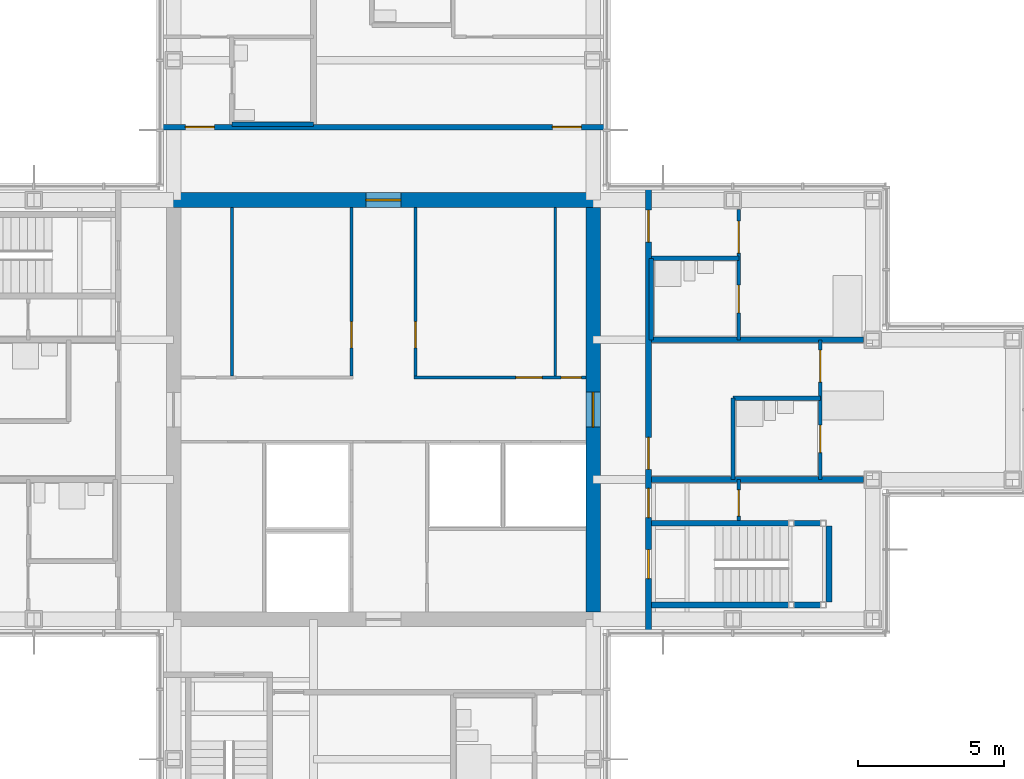
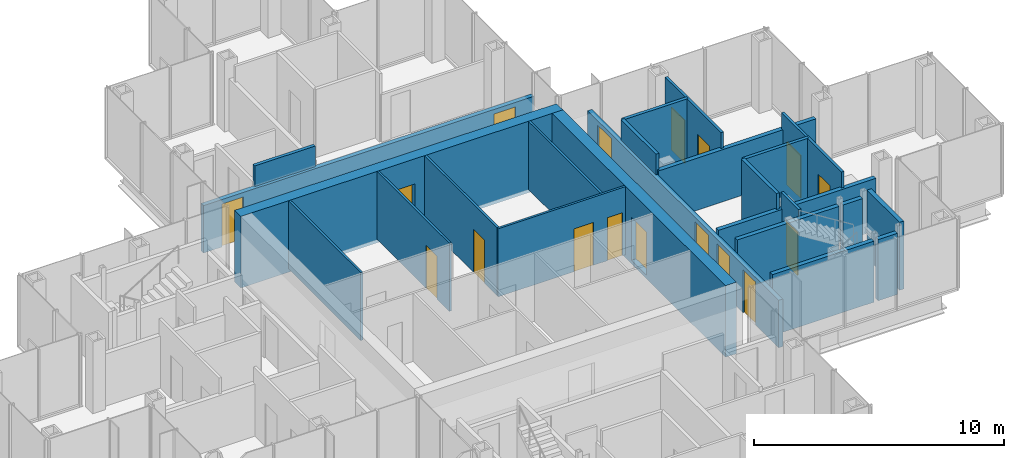
# One storey, part 13 of 17: 24 walls, 17 doors, 17 openings.
"""IFC4 building model written with IfcOpenShell, lengths in metres."""

from ifc_helpers import new_model, si_unit, direction, frame, frame_2d, origin, place, context, subcontext, project, spatial, rectangle, extrude, material, layer, layer_set, type_object, element, fill, save


model = new_model("IFC4")

# Units and contexts
model_context = context("Model", 3, precision=1e-05, world=origin(), true_north=direction((0.0, 1.0)))
body_context = subcontext(model_context, "Body", "Model", "MODEL_VIEW")
ifc_project = project(units=[si_unit("LENGTHUNIT", "METRE"), si_unit("AREAUNIT", "SQUARE_METRE"), si_unit("VOLUMEUNIT", "CUBIC_METRE"), si_unit("PLANEANGLEUNIT", "RADIAN"), si_unit("MASSUNIT", "GRAM", prefix="KILO")], contexts=[model_context])

# Site, building, storey
site_placement = place(None, origin())
site = spatial("IfcSite", under=ifc_project, at=site_placement, CompositionType="ELEMENT")
building_placement = place(site_placement, origin())
building = spatial("IfcBuilding", under=site, at=building_placement, Name="Kvirike Care Tower", CompositionType="ELEMENT")
storey_placement = place(building_placement, frame((0.0, 0.0, 172.5)))
storey = spatial("IfcBuildingStorey", under=building, at=storey_placement, Name="L47", CompositionType="ELEMENT", Elevation=172.5)

# Walls
ifc_material_1 = material(Name="Moisture-resistant board partition", Category="gypsum")
ifc_layer_1 = layer(ifc_material_1, 0.14990234375)
ifc_layer_set_1 = layer_set([ifc_layer_1], Name="BATHROOM WALL 150")
wall_type_1 = type_object("IfcWallType", Name="BATHROOM WALL 150", PredefinedType="PARTITIONING", material=ifc_layer_set_1)
wall_1_placement = place(storey_placement, frame((19.199951171875, 45.800048828125, 0.0), z_axis=(0.0, 0.0, 1.0), x_axis=(-1.0, 0.0, 0.0)))
element("IfcWall", 1, at=wall_1_placement, inside=storey, type_object=wall_type_1, Name="Bathroom Wall 150 L47", PredefinedType="PARTITIONING", context=body_context, shape_type="SweptSolid", body=[
    extrude(rectangle(XDim=2.800048828125, YDim=0.14990234375, at=frame_2d((1.39990234375, 0.0))), origin(), (0.0, 0.0, 1.0), 3.330078125),
])
wall_2_placement = place(storey_placement, frame((36.60009765625, 36.39990234375, 0.0), z_axis=(0.0, 0.0, 1.0), x_axis=(-1.0, 0.0, 0.0)))
element("IfcWall", 2, at=wall_2_placement, inside=storey, type_object=wall_type_1, Name="Bathroom Wall 150 L47", PredefinedType="PARTITIONING", context=body_context, shape_type="SweptSolid", body=[
    extrude(rectangle(XDim=3.0, YDim=0.14990234375, at=frame_2d((1.5, 0.0))), origin(), (0.0, 0.0, 1.0), 3.330078125),
])
wall_3_placement = place(storey_placement, frame((33.60009765625, 33.60009765625, 0.0), z_axis=(0.0, 0.0, 1.0), x_axis=(0.0, 1.0, 0.0)))
element("IfcWall", 3, at=wall_3_placement, inside=storey, type_object=wall_type_1, Name="Bathroom Wall 150 L47", PredefinedType="PARTITIONING", context=body_context, shape_type="SweptSolid", body=[
    extrude(rectangle(XDim=2.7998046875, YDim=0.14990234375, at=frame_2d((1.39990234375, 0.0))), origin(), (0.0, 0.0, 1.0), 3.330078125),
])
wall_4_placement = place(storey_placement, frame((33.800048828125, 41.199951171875, 0.0), z_axis=(0.0, 0.0, 1.0), x_axis=(-1.0, 0.0, 0.0)))
element("IfcWall", 4, at=wall_4_placement, inside=storey, type_object=wall_type_1, Name="Bathroom Wall 150 L47", PredefinedType="PARTITIONING", context=body_context, shape_type="SweptSolid", body=[
    extrude(rectangle(XDim=3.0, YDim=0.14990234375, at=frame_2d((1.5, 0.0))), origin(), (0.0, 0.0, 1.0), 3.330078125),
])
wall_5_placement = place(storey_placement, frame((30.800048828125, 38.39990234375, 0.0), z_axis=(0.0, 0.0, 1.0), x_axis=(0.0, 1.0, 0.0)))
element("IfcWall", 5, at=wall_5_placement, inside=storey, type_object=wall_type_1, Name="Bathroom Wall 150 L47", PredefinedType="PARTITIONING", context=body_context, shape_type="SweptSolid", body=[
    extrude(rectangle(XDim=2.800048828125, YDim=0.14990234375, at=frame_2d((1.39990234375, 0.0))), origin(), (0.0, 0.0, 1.0), 3.330078125),
])

# Wall, opening, door
ifc_material_2 = material(Name="Concrete C45/55", Category="concrete")
ifc_layer_2 = layer(ifc_material_2, 0.5)
ifc_layer_set_2 = layer_set([ifc_layer_2], Name="CORE WALL 500 C45-55")
wall_type_2 = type_object("IfcWallType", Name="CORE WALL 500 C45-55", PredefinedType="SHEAR", material=ifc_layer_set_2)
wall_6_placement = place(storey_placement, frame((29.050048828125, 43.199951171875, -0.169921875), z_axis=(0.0, 0.0, 1.0), x_axis=(-1.0, 0.0, 0.0)))
wall_6 = element("IfcWall", 6, at=wall_6_placement, inside=storey, type_object=wall_type_2, Name="Core wall N L47", PredefinedType="SHEAR", context=body_context, shape_type="SweptSolid", body=[
    extrude(rectangle(XDim=14.900146484375, YDim=0.5, at=frame_2d((7.4501953125, 0.0))), origin(), (0.0, 0.0, 1.0), 3.5),
])
opening_1_placement = place(wall_6_placement, frame((6.85009765625, 0.0, 0.169921875)))
opening_1 = element("IfcOpeningElement", 7, at=opening_1_placement, cuts=wall_6, Name="Opening 47-048", PredefinedType="OPENING", context=body_context, shape_type="SweptSolid", body=[
    extrude(rectangle(XDim=1.199951171875, YDim=2.10009765625, at=frame_2d((0.60009765625, 1.050048828125))), frame((0.0, 0.260498046875, 0.0), z_axis=(0.0, -1.0, 0.0), x_axis=(1.0, 0.0, 0.0)), (0.0, 0.0, 1.0), 0.52099609375),
])
ifc_material_3 = material(Name="Timber door set", Category="wood")
door_type_1 = type_object("IfcDoorType", Name="CORE DOOR 1200", OperationType="SINGLE_SWING_LEFT", PredefinedType="DOOR", material=ifc_material_3)
door_1_placement = place(opening_1_placement, origin())
door_1 = element("IfcDoor", 8, at=door_1_placement, inside=storey, type_object=door_type_1, Name="Core door N L47", OperationType="SINGLE_SWING_LEFT", OverallHeight=2.10009765625, OverallWidth=1.199951171875, PredefinedType="DOOR", context=body_context, shape_type="SweptSolid", body=[
    extrude(rectangle(XDim=1.199951171875, YDim=2.10009765625, at=frame_2d((0.60009765625, 1.050048828125))), frame((0.0, 0.02685546875, 0.0), z_axis=(0.0, -1.0, 0.0), x_axis=(1.0, 0.0, 0.0)), (0.0, 0.0, 1.0), 0.053955078125),
])
fill(opening_1, door_1)

wall_7_placement = place(storey_placement, frame((28.800048828125, 29.050048828125, -0.169921875), z_axis=(0.0, 0.0, 1.0), x_axis=(0.0, 1.0, 0.0)))
wall_7 = element("IfcWall", 9, at=wall_7_placement, inside=storey, type_object=wall_type_2, Name="Core wall E L47", PredefinedType="SHEAR", context=body_context, shape_type="SweptSolid", body=[
    extrude(rectangle(XDim=13.89990234375, YDim=0.5, at=frame_2d((6.949951171875, 0.0))), origin(), (0.0, 0.0, 1.0), 3.5),
])
opening_2_placement = place(wall_7_placement, frame((6.35009765625, 0.0, 0.169921875)))
opening_2 = element("IfcOpeningElement", 10, at=opening_2_placement, cuts=wall_7, Name="Opening 47-047", PredefinedType="OPENING", context=body_context, shape_type="SweptSolid", body=[
    extrude(rectangle(XDim=1.199951171875, YDim=2.10009765625, at=frame_2d((0.60009765625, 1.050048828125))), frame((0.0, 0.260498046875, 0.0), z_axis=(0.0, -1.0, 0.0), x_axis=(1.0, 0.0, 0.0)), (0.0, 0.0, 1.0), 0.52099609375),
])
door_2_placement = place(opening_2_placement, origin())
door_2 = element("IfcDoor", 11, at=door_2_placement, inside=storey, type_object=door_type_1, Name="Core door E L47", OperationType="SINGLE_SWING_LEFT", OverallHeight=2.10009765625, OverallWidth=1.199951171875, PredefinedType="DOOR", context=body_context, shape_type="SweptSolid", body=[
    extrude(rectangle(XDim=1.199951171875, YDim=2.10009765625, at=frame_2d((0.60009765625, 1.050048828125))), frame((0.0, 0.02685546875, 0.0), z_axis=(0.0, -1.0, 0.0), x_axis=(1.0, 0.0, 0.0)), (0.0, 0.0, 1.0), 0.053955078125),
])
fill(opening_2, door_2)

# Wall, openings, doors
ifc_material_4 = material(Name="Plasterboard corridor wall", Category="gypsum")
ifc_layer_3 = layer(ifc_material_4, 0.199951171875)
ifc_layer_set_3 = layer_set([ifc_layer_3], Name="CORRIDOR WALL 200")
wall_type_3 = type_object("IfcWallType", Name="CORRIDOR WALL 200", PredefinedType="PARTITIONING", material=ifc_layer_set_3)
wall_8_placement = place(storey_placement, frame((29.25, 45.699951171875, 0.0), z_axis=(0.0, 0.0, 1.0), x_axis=(-1.0, 0.0, 0.0)))
wall_8 = element("IfcWall", 12, at=wall_8_placement, inside=storey, type_object=wall_type_3, Name="Corridor Wall 200 L47", PredefinedType="PARTITIONING", context=body_context, shape_type="SweptSolid", body=[
    extrude(rectangle(XDim=15.300048828125, YDim=0.199951171875, at=frame_2d((7.64990234375, 0.0))), origin(), (0.0, 0.0, 1.0), 2.320068359375),
])
opening_3_placement = place(wall_8_placement, frame((0.85009765625, 0.0, 0.0)))
opening_3 = element("IfcOpeningElement", 13, at=opening_3_placement, cuts=wall_8, Name="Opening 47-021", PredefinedType="OPENING", context=body_context, shape_type="SweptSolid", body=[
    extrude(rectangle(XDim=1.0, YDim=2.10009765625, at=frame_2d((0.5, 1.050048828125))), frame((0.0, 0.110595703125, 0.0), z_axis=(0.0, -1.0, 0.0), x_axis=(1.0, 0.0, 0.0)), (0.0, 0.0, 1.0), 0.220947265625),
])
opening_4_placement = place(wall_8_placement, frame((13.449951171875, 0.0, 0.0)))
opening_4 = element("IfcOpeningElement", 14, at=opening_4_placement, cuts=wall_8, Name="Opening 47-022", PredefinedType="OPENING", context=body_context, shape_type="SweptSolid", body=[
    extrude(rectangle(XDim=1.0, YDim=2.10009765625, at=frame_2d((0.5, 1.050048828125))), frame((0.0, 0.110595703125, 0.0), z_axis=(0.0, -1.0, 0.0), x_axis=(1.0, 0.0, 0.0)), (0.0, 0.0, 1.0), 0.220947265625),
])
ifc_material_5 = material(Name="Timber door set", Category="wood")
door_type_2 = type_object("IfcDoorType", Name="FLAT ENTRANCE DOOR 1000", OperationType="SINGLE_SWING_LEFT", PredefinedType="DOOR", material=ifc_material_5)
door_3_placement = place(opening_3_placement, frame((1.0, 0.0, 0.0), z_axis=(0.0, 0.0, 1.0), x_axis=(-1.0, 0.0, 0.0)))
door_3 = element("IfcDoor", 15, at=door_3_placement, inside=storey, type_object=door_type_2, Name="Activity room entrance", OperationType="SINGLE_SWING_LEFT", OverallHeight=2.10009765625, OverallWidth=1.0, PredefinedType="DOOR", context=body_context, shape_type="SweptSolid", body=[
    extrude(rectangle(XDim=1.0, YDim=2.10009765625, at=frame_2d((0.5, 1.050048828125))), frame((0.0, 0.02685546875, 0.0), z_axis=(0.0, -1.0, 0.0), x_axis=(1.0, 0.0, 0.0)), (0.0, 0.0, 1.0), 0.053955078125),
])
fill(opening_3, door_3)
door_4_placement = place(opening_4_placement, frame((1.0, 0.0, 0.0), z_axis=(0.0, 0.0, 1.0), x_axis=(-1.0, 0.0, 0.0)))
door_4 = element("IfcDoor", 16, at=door_4_placement, inside=storey, type_object=door_type_2, Name="Sensory therapy room entrance", OperationType="SINGLE_SWING_RIGHT", OverallHeight=2.10009765625, OverallWidth=1.0, PredefinedType="DOOR", context=body_context, shape_type="SweptSolid", body=[
    extrude(rectangle(XDim=1.0, YDim=2.10009765625, at=frame_2d((0.5, 1.050048828125))), frame((0.0, 0.02685546875, 0.0), z_axis=(0.0, -1.0, 0.0), x_axis=(1.0, 0.0, 0.0)), (0.0, 0.0, 1.0), 0.053955078125),
])
fill(opening_4, door_4)

wall_9_placement = place(storey_placement, frame((30.699951171875, 28.35009765625, 0.0), z_axis=(0.0, 0.0, 1.0), x_axis=(0.0, 1.0, 0.0)))
wall_9 = element("IfcWall", 17, at=wall_9_placement, inside=storey, type_object=wall_type_3, Name="Corridor Wall 200 L47", PredefinedType="PARTITIONING", context=body_context, shape_type="SweptSolid", body=[
    extrude(rectangle(XDim=15.2998046875, YDim=0.199951171875, at=frame_2d((7.64990234375, 0.0))), origin(), (0.0, 0.0, 1.0), 2.320068359375),
])
opening_5_placement = place(wall_9_placement, frame((1.85009765625, 0.0, 0.0)))
opening_5 = element("IfcOpeningElement", 18, at=opening_5_placement, cuts=wall_9, Name="Opening 47-028", PredefinedType="OPENING", context=body_context, shape_type="SweptSolid", body=[
    extrude(rectangle(XDim=1.0, YDim=2.10009765625, at=frame_2d((0.5, 1.050048828125))), frame((0.0, 0.110595703125, 0.0), z_axis=(0.0, -1.0, 0.0), x_axis=(1.0, 0.0, 0.0)), (0.0, 0.0, 1.0), 0.220947265625),
])
opening_6_placement = place(wall_9_placement, frame((3.949951171875, 0.0, 0.0)))
opening_6 = element("IfcOpeningElement", 19, at=opening_6_placement, cuts=wall_9, Name="Opening 47-029", PredefinedType="OPENING", context=body_context, shape_type="SweptSolid", body=[
    extrude(rectangle(XDim=1.0, YDim=2.10009765625, at=frame_2d((0.5, 1.050048828125))), frame((0.0, 0.110595703125, 0.0), z_axis=(0.0, -1.0, 0.0), x_axis=(1.0, 0.0, 0.0)), (0.0, 0.0, 1.0), 0.220947265625),
])
opening_7_placement = place(wall_9_placement, frame((5.60009765625, 0.0, 0.0)))
opening_7 = element("IfcOpeningElement", 20, at=opening_7_placement, cuts=wall_9, Name="Opening 47-030", PredefinedType="OPENING", context=body_context, shape_type="SweptSolid", body=[
    extrude(rectangle(XDim=1.10009765625, YDim=2.10009765625, at=frame_2d((0.550048828125, 1.050048828125))), frame((0.0, 0.110595703125, 0.0), z_axis=(0.0, -1.0, 0.0), x_axis=(1.0, 0.0, 0.0)), (0.0, 0.0, 1.0), 0.220947265625),
])
opening_8_placement = place(wall_9_placement, frame((13.39990234375, 0.0, 0.0)))
opening_8 = element("IfcOpeningElement", 21, at=opening_8_placement, cuts=wall_9, Name="Opening 47-031", PredefinedType="OPENING", context=body_context, shape_type="SweptSolid", body=[
    extrude(rectangle(XDim=1.10009765625, YDim=2.10009765625, at=frame_2d((0.550048828125, 1.050048828125))), frame((0.0, 0.110595703125, 0.0), z_axis=(0.0, -1.0, 0.0), x_axis=(1.0, 0.0, 0.0)), (0.0, 0.0, 1.0), 0.220947265625),
])
ifc_material_6 = material(Name="Timber door set", Category="wood")
door_type_3 = type_object("IfcDoorType", Name="BEDROOM ENTRANCE DOOR 1100", OperationType="SINGLE_SWING_LEFT", PredefinedType="DOOR", material=ifc_material_6)
door_5_placement = place(opening_7_placement, frame((1.10009765625, 0.0, 0.0), z_axis=(0.0, 0.0, 1.0), x_axis=(-1.0, 0.0, 0.0)))
door_5 = element("IfcDoor", 22, at=door_5_placement, inside=storey, type_object=door_type_3, Name="Memory care bedroom entrance", OperationType="SINGLE_SWING_LEFT", OverallHeight=2.10009765625, OverallWidth=1.10009765625, PredefinedType="DOOR", context=body_context, shape_type="SweptSolid", body=[
    extrude(rectangle(XDim=1.10009765625, YDim=2.10009765625, at=frame_2d((0.550048828125, 1.050048828125))), frame((0.0, 0.02685546875, 0.0), z_axis=(0.0, -1.0, 0.0), x_axis=(1.0, 0.0, 0.0)), (0.0, 0.0, 1.0), 0.053955078125),
])
fill(opening_7, door_5)
door_6_placement = place(opening_8_placement, frame((1.10009765625, 0.0, 0.0), z_axis=(0.0, 0.0, 1.0), x_axis=(-1.0, 0.0, 0.0)))
door_6 = element("IfcDoor", 23, at=door_6_placement, inside=storey, type_object=door_type_3, Name="Memory care bedroom entrance", OperationType="SINGLE_SWING_RIGHT", OverallHeight=2.10009765625, OverallWidth=1.10009765625, PredefinedType="DOOR", context=body_context, shape_type="SweptSolid", body=[
    extrude(rectangle(XDim=1.10009765625, YDim=2.10009765625, at=frame_2d((0.550048828125, 1.050048828125))), frame((0.0, 0.02685546875, 0.0), z_axis=(0.0, -1.0, 0.0), x_axis=(1.0, 0.0, 0.0)), (0.0, 0.0, 1.0), 0.053955078125),
])
fill(opening_8, door_6)
door_7_placement = place(opening_6_placement, frame((1.0, 0.0, 0.0), z_axis=(0.0, 0.0, 1.0), x_axis=(-1.0, 0.0, 0.0)))
door_7 = element("IfcDoor", 24, at=door_7_placement, inside=storey, type_object=door_type_2, Name="Activity room entrance", OperationType="SINGLE_SWING_LEFT", OverallHeight=2.10009765625, OverallWidth=1.0, PredefinedType="DOOR", context=body_context, shape_type="SweptSolid", body=[
    extrude(rectangle(XDim=1.0, YDim=2.10009765625, at=frame_2d((0.5, 1.050048828125))), frame((0.0, 0.02685546875, 0.0), z_axis=(0.0, -1.0, 0.0), x_axis=(1.0, 0.0, 0.0)), (0.0, 0.0, 1.0), 0.053955078125),
])
fill(opening_6, door_7)
ifc_material_7 = material(Name="Timber door set", Category="wood")
door_type_4 = type_object("IfcDoorType", Name="STAIR DOOR 1000", OperationType="SINGLE_SWING_LEFT", PredefinedType="DOOR", material=ifc_material_7)
door_8_placement = place(opening_5_placement, frame((1.0, 0.0, 0.0), z_axis=(0.0, 0.0, 1.0), x_axis=(-1.0, 0.0, 0.0)))
door_8 = element("IfcDoor", 25, at=door_8_placement, inside=storey, type_object=door_type_4, Name="Stair 2 door", OperationType="SINGLE_SWING_LEFT", OverallHeight=2.10009765625, OverallWidth=1.0, PredefinedType="DOOR", context=body_context, shape_type="SweptSolid", body=[
    extrude(rectangle(XDim=1.0, YDim=2.10009765625, at=frame_2d((0.5, 1.050048828125))), frame((0.0, 0.031982421875, 0.0), z_axis=(0.0, -1.0, 0.0), x_axis=(1.0, 0.0, 0.0)), (0.0, 0.0, 1.0), 0.06396484375),
])
fill(opening_5, door_8)

# Wall, opening, door
ifc_material_8 = material(Name="Plasterboard partition", Category="gypsum")
ifc_layer_4 = layer(ifc_material_8, 0.1201171875)
ifc_layer_set_4 = layer_set([ifc_layer_4], Name="PARTITION 120")
wall_type_4 = type_object("IfcWallType", Name="PARTITION 120", PredefinedType="PARTITIONING", material=ifc_layer_set_4)
wall_10_placement = place(storey_placement, frame((33.800048828125, 32.199951171875, 0.0), z_axis=(0.0, 0.0, 1.0), x_axis=(0.0, 1.0, 0.0)))
wall_10 = element("IfcWall", 26, at=wall_10_placement, inside=storey, type_object=wall_type_4, Name="Partition 120 L47", PredefinedType="PARTITIONING", context=body_context, shape_type="SweptSolid", body=[
    extrude(rectangle(XDim=1.400146484375, YDim=0.1201171875, at=frame_2d((0.7001953125, 0.0))), origin(), (0.0, 0.0, 1.0), 3.330078125),
])
opening_9_placement = place(wall_10_placement, frame((0.14990234375, 0.0, 0.0)))
opening_9 = element("IfcOpeningElement", 27, at=opening_9_placement, cuts=wall_10, Name="Opening 47-023", PredefinedType="OPENING", context=body_context, shape_type="SweptSolid", body=[
    extrude(rectangle(XDim=0.89990234375, YDim=2.10009765625, at=frame_2d((0.449951171875, 1.050048828125))), frame((0.0, 0.070556640625, 0.0), z_axis=(0.0, -1.0, 0.0), x_axis=(1.0, 0.0, 0.0)), (0.0, 0.0, 1.0), 0.14111328125),
])
ifc_material_9 = material(Name="Timber door set", Category="wood")
door_type_5 = type_object("IfcDoorType", Name="INTERNAL DOOR 900", OperationType="SINGLE_SWING_LEFT", PredefinedType="DOOR", material=ifc_material_9)
door_9_placement = place(opening_9_placement, origin())
door_9 = element("IfcDoor", 28, at=door_9_placement, inside=storey, type_object=door_type_5, Name="Activity room door", OperationType="SINGLE_SWING_RIGHT", OverallHeight=2.10009765625, OverallWidth=0.89990234375, PredefinedType="DOOR", context=body_context, shape_type="SweptSolid", body=[
    extrude(rectangle(XDim=0.89990234375, YDim=2.10009765625, at=frame_2d((0.449951171875, 1.050048828125))), frame((0.0, 0.02197265625, 0.0), z_axis=(0.0, -1.0, 0.0), x_axis=(1.0, 0.0, 0.0)), (0.0, 0.0, 1.0), 0.0439453125),
])
fill(opening_9, door_9)

# Wall, openings, doors
wall_11_placement = place(storey_placement, frame((36.60009765625, 33.60009765625, 0.0), z_axis=(0.0, 0.0, 1.0), x_axis=(0.0, 1.0, 0.0)))
wall_11 = element("IfcWall", 29, at=wall_11_placement, inside=storey, type_object=wall_type_4, Name="Partition 120 L47", PredefinedType="PARTITIONING", context=body_context, shape_type="SweptSolid", body=[
    extrude(rectangle(XDim=4.7998046875, YDim=0.1201171875, at=frame_2d((2.39990234375, 0.0))), origin(), (0.0, 0.0, 1.0), 3.330078125),
])
opening_10_placement = place(wall_11_placement, frame((3.35009765625, 0.0, 0.0)))
opening_10 = element("IfcOpeningElement", 30, at=opening_10_placement, cuts=wall_11, Name="Opening 47-024", PredefinedType="OPENING", context=body_context, shape_type="SweptSolid", body=[
    extrude(rectangle(XDim=1.10009765625, YDim=2.10009765625, at=frame_2d((0.550048828125, 1.050048828125))), frame((0.0, 0.070556640625, 0.0), z_axis=(0.0, -1.0, 0.0), x_axis=(1.0, 0.0, 0.0)), (0.0, 0.0, 1.0), 0.14111328125),
])
opening_11_placement = place(wall_11_placement, frame((0.925048828125, 0.0, 0.0)))
opening_11 = element("IfcOpeningElement", 31, at=opening_11_placement, cuts=wall_11, Name="Opening 47-025", PredefinedType="OPENING", context=body_context, shape_type="SweptSolid", body=[
    extrude(rectangle(XDim=0.949951171875, YDim=2.10009765625, at=frame_2d((0.47509765625, 1.050048828125))), frame((0.0, 0.070556640625, 0.0), z_axis=(0.0, -1.0, 0.0), x_axis=(1.0, 0.0, 0.0)), (0.0, 0.0, 1.0), 0.14111328125),
])
ifc_material_10 = material(Name="Timber door set", Category="wood")
door_type_6 = type_object("IfcDoorType", Name="BEDROOM DOOR 1100", OperationType="SINGLE_SWING_LEFT", PredefinedType="DOOR", material=ifc_material_10)
door_10_placement = place(opening_10_placement, origin())
door_10 = element("IfcDoor", 32, at=door_10_placement, inside=storey, type_object=door_type_6, Name="Memory care bedroom door", OperationType="SINGLE_SWING_LEFT", OverallHeight=2.10009765625, OverallWidth=1.10009765625, PredefinedType="DOOR", context=body_context, shape_type="SweptSolid", body=[
    extrude(rectangle(XDim=1.10009765625, YDim=2.10009765625, at=frame_2d((0.550048828125, 1.050048828125))), frame((0.0, 0.02197265625, 0.0), z_axis=(0.0, -1.0, 0.0), x_axis=(1.0, 0.0, 0.0)), (0.0, 0.0, 1.0), 0.0439453125),
])
fill(opening_10, door_10)
ifc_material_11 = material(Name="Timber door set", Category="wood")
door_type_7 = type_object("IfcDoorType", Name="EN-SUITE SLIDING DOOR 950", OperationType="SLIDING_TO_LEFT", PredefinedType="DOOR", material=ifc_material_11)
door_11_placement = place(opening_11_placement, origin())
door_11 = element("IfcDoor", 33, at=door_11_placement, inside=storey, type_object=door_type_7, Name="En-suite door", OperationType="SLIDING_TO_RIGHT", OverallHeight=2.10009765625, OverallWidth=0.949951171875, PredefinedType="DOOR", context=body_context, shape_type="SweptSolid", body=[
    extrude(rectangle(XDim=0.949951171875, YDim=2.10009765625, at=frame_2d((0.47509765625, 1.050048828125))), frame((0.0, 0.02197265625, 0.0), z_axis=(0.0, -1.0, 0.0), x_axis=(1.0, 0.0, 0.0)), (0.0, 0.0, 1.0), 0.0439453125),
])
fill(opening_11, door_11)

wall_12_placement = place(storey_placement, frame((33.800048828125, 38.39990234375, 0.0), z_axis=(0.0, 0.0, 1.0), x_axis=(0.0, 1.0, 0.0)))
wall_12 = element("IfcWall", 34, at=wall_12_placement, inside=storey, type_object=wall_type_4, Name="Partition 120 L47", PredefinedType="PARTITIONING", context=body_context, shape_type="SweptSolid", body=[
    extrude(rectangle(XDim=4.47998046875, YDim=0.1201171875, at=frame_2d((2.239990234375, 0.0))), origin(), (0.0, 0.0, 1.0), 3.330078125),
])
opening_12_placement = place(wall_12_placement, frame((2.97509765625, 0.0, 0.0)))
opening_12 = element("IfcOpeningElement", 35, at=opening_12_placement, cuts=wall_12, Name="Opening 47-026", PredefinedType="OPENING", context=body_context, shape_type="SweptSolid", body=[
    extrude(rectangle(XDim=1.10009765625, YDim=2.10009765625, at=frame_2d((0.550048828125, 1.050048828125))), frame((0.0, 0.070556640625, 0.0), z_axis=(0.0, -1.0, 0.0), x_axis=(1.0, 0.0, 0.0)), (0.0, 0.0, 1.0), 0.14111328125),
])
opening_13_placement = place(wall_12_placement, frame((0.925048828125, 0.0, 0.0)))
opening_13 = element("IfcOpeningElement", 36, at=opening_13_placement, cuts=wall_12, Name="Opening 47-027", PredefinedType="OPENING", context=body_context, shape_type="SweptSolid", body=[
    extrude(rectangle(XDim=0.949951171875, YDim=2.10009765625, at=frame_2d((0.47509765625, 1.050048828125))), frame((0.0, 0.070556640625, 0.0), z_axis=(0.0, -1.0, 0.0), x_axis=(1.0, 0.0, 0.0)), (0.0, 0.0, 1.0), 0.14111328125),
])
door_12_placement = place(opening_12_placement, origin())
door_12 = element("IfcDoor", 37, at=door_12_placement, inside=storey, type_object=door_type_6, Name="Memory care bedroom door", OperationType="SINGLE_SWING_RIGHT", OverallHeight=2.10009765625, OverallWidth=1.10009765625, PredefinedType="DOOR", context=body_context, shape_type="SweptSolid", body=[
    extrude(rectangle(XDim=1.10009765625, YDim=2.10009765625, at=frame_2d((0.550048828125, 1.050048828125))), frame((0.0, 0.02197265625, 0.0), z_axis=(0.0, -1.0, 0.0), x_axis=(1.0, 0.0, 0.0)), (0.0, 0.0, 1.0), 0.0439453125),
])
fill(opening_12, door_12)
door_13_placement = place(opening_13_placement, origin())
door_13 = element("IfcDoor", 38, at=door_13_placement, inside=storey, type_object=door_type_7, Name="En-suite door", OperationType="SLIDING_TO_RIGHT", OverallHeight=2.10009765625, OverallWidth=0.949951171875, PredefinedType="DOOR", context=body_context, shape_type="SweptSolid", body=[
    extrude(rectangle(XDim=0.949951171875, YDim=2.10009765625, at=frame_2d((0.47509765625, 1.050048828125))), frame((0.0, 0.02197265625, 0.0), z_axis=(0.0, -1.0, 0.0), x_axis=(1.0, 0.0, 0.0)), (0.0, 0.0, 1.0), 0.0439453125),
])
fill(opening_13, door_13)

# Walls
ifc_material_12 = material(Name="Plasterboard party wall", Category="gypsum")
ifc_layer_5 = layer(ifc_material_12, 0.199951171875)
ifc_layer_set_5 = layer_set([ifc_layer_5], Name="PARTY WALL 200")
wall_type_5 = type_object("IfcWallType", Name="PARTY WALL 200", PredefinedType="PARTITIONING", material=ifc_layer_set_5)
for number, where, z_axis, x_axis, name in (
    (39, (38.080078125, 33.60009765625, 0.0), (0.0, 0.0, 1.0), (-1.0, 0.0, 0.0), "Party Wall 200 L47"),
    (40, (38.080078125, 38.39990234375, 0.0), (0.0, 0.0, 1.0), (-1.0, 0.0, 0.0), "Party Wall 200 L47"),
):
    element("IfcWall", number, at=place(storey_placement, frame(where, z_axis=z_axis, x_axis=x_axis)), inside=storey, type_object=wall_type_5, Name=name, PredefinedType="PARTITIONING", context=body_context, shape_type="SweptSolid", body=[
        extrude(rectangle(XDim=7.280029296875, YDim=0.199951171875, at=frame_2d((3.64013671875, 0.0))), origin(), (0.0, 0.0, 1.0), 2.550048828125),
    ])
ifc_material_13 = material(Name="Gypsum shaft wall system", Category="gypsum")
ifc_layer_6 = layer(ifc_material_13, 0.10009765625)
ifc_layer_set_6 = layer_set([ifc_layer_6], Name="SHAFT WALL 100")
wall_type_6 = type_object("IfcWallType", Name="SHAFT WALL 100", PredefinedType="SOLIDWALL", material=ifc_layer_set_6)
for number, where, z_axis, x_axis, name in (
    (41, (16.39990234375, 37.14990234375, 0.0), (0.0, 0.0, 1.0), (0.0, 1.0, 0.0), "Shaft Wall 100 L47"),
    (42, (27.5, 37.14990234375, 0.0), (0.0, 0.0, 1.0), (0.0, 1.0, 0.0), "Shaft Wall 100 L47"),
):
    element("IfcWall", number, at=place(storey_placement, frame(where, z_axis=z_axis, x_axis=x_axis)), inside=storey, type_object=wall_type_6, Name=name, PredefinedType="SOLIDWALL", context=body_context, shape_type="SweptSolid", body=[
        extrude(rectangle(XDim=5.800048828125, YDim=0.10009765625, at=frame_2d((2.89990234375, 0.0))), origin(), (0.0, 0.0, 1.0), 3.330078125),
    ])

# Wall, opening, door
wall_13_placement = place(storey_placement, frame((20.5, 37.14990234375, 0.0), z_axis=(0.0, 0.0, 1.0), x_axis=(0.0, 1.0, 0.0)))
wall_13 = element("IfcWall", 43, at=wall_13_placement, inside=storey, type_object=wall_type_6, Name="Shaft Wall 100 L47", PredefinedType="SOLIDWALL", context=body_context, shape_type="SweptSolid", body=[
    extrude(rectangle(XDim=5.800048828125, YDim=0.10009765625, at=frame_2d((2.89990234375, 0.0))), origin(), (0.0, 0.0, 1.0), 3.330078125),
])
opening_14_placement = place(wall_13_placement, frame((0.97509765625, 0.0, 0.0)))
opening_14 = element("IfcOpeningElement", 44, at=opening_14_placement, cuts=wall_13, Name="Opening 47-034", PredefinedType="OPENING", context=body_context, shape_type="SweptSolid", body=[
    extrude(rectangle(XDim=0.89990234375, YDim=2.10009765625, at=frame_2d((0.449951171875, 1.050048828125))), frame((0.0, 0.060546875, 0.0), z_axis=(0.0, -1.0, 0.0), x_axis=(1.0, 0.0, 0.0)), (0.0, 0.0, 1.0), 0.12109375),
])
ifc_material_14 = material(Name="Timber door set", Category="wood")
door_type_8 = type_object("IfcDoorType", Name="STORE DOOR 900", OperationType="SINGLE_SWING_LEFT", PredefinedType="DOOR", material=ifc_material_14)
door_14_placement = place(opening_14_placement, origin())
door_14 = element("IfcDoor", 45, at=door_14_placement, inside=storey, type_object=door_type_8, Name="Housekeeping office door", OperationType="SINGLE_SWING_RIGHT", OverallHeight=2.10009765625, OverallWidth=0.89990234375, PredefinedType="DOOR", context=body_context, shape_type="SweptSolid", body=[
    extrude(rectangle(XDim=0.89990234375, YDim=2.10009765625, at=frame_2d((0.449951171875, 1.050048828125))), frame((0.0, 0.02685546875, 0.0), z_axis=(0.0, -1.0, 0.0), x_axis=(1.0, 0.0, 0.0)), (0.0, 0.0, 1.0), 0.053955078125),
])
fill(opening_14, door_14)

wall_14_placement = place(storey_placement, frame((22.699951171875, 37.14990234375, 0.0), z_axis=(0.0, 0.0, 1.0), x_axis=(0.0, 1.0, 0.0)))
wall_14 = element("IfcWall", 46, at=wall_14_placement, inside=storey, type_object=wall_type_6, Name="Shaft Wall 100 L47", PredefinedType="SOLIDWALL", context=body_context, shape_type="SweptSolid", body=[
    extrude(rectangle(XDim=5.800048828125, YDim=0.10009765625, at=frame_2d((2.89990234375, 0.0))), origin(), (0.0, 0.0, 1.0), 3.330078125),
])
opening_15_placement = place(wall_14_placement, frame((0.97509765625, 0.0, 0.0)))
opening_15 = element("IfcOpeningElement", 47, at=opening_15_placement, cuts=wall_14, Name="Opening 47-035", PredefinedType="OPENING", context=body_context, shape_type="SweptSolid", body=[
    extrude(rectangle(XDim=0.89990234375, YDim=2.10009765625, at=frame_2d((0.449951171875, 1.050048828125))), frame((0.0, 0.060546875, 0.0), z_axis=(0.0, -1.0, 0.0), x_axis=(1.0, 0.0, 0.0)), (0.0, 0.0, 1.0), 0.12109375),
])
door_15_placement = place(opening_15_placement, frame((0.89990234375, 0.0, 0.0), z_axis=(0.0, 0.0, 1.0), x_axis=(-1.0, 0.0, 0.0)))
door_15 = element("IfcDoor", 48, at=door_15_placement, inside=storey, type_object=door_type_8, Name="Staff room door", OperationType="SINGLE_SWING_LEFT", OverallHeight=2.10009765625, OverallWidth=0.89990234375, PredefinedType="DOOR", context=body_context, shape_type="SweptSolid", body=[
    extrude(rectangle(XDim=0.89990234375, YDim=2.10009765625, at=frame_2d((0.449951171875, 1.050048828125))), frame((0.0, 0.02685546875, 0.0), z_axis=(0.0, -1.0, 0.0), x_axis=(1.0, 0.0, 0.0)), (0.0, 0.0, 1.0), 0.053955078125),
])
fill(opening_15, door_15)

# Wall, openings, doors
wall_15_placement = place(storey_placement, frame((22.64990234375, 37.10009765625, 0.0), z_axis=(0.0, 0.0, 1.0), x_axis=(1.0, 0.0, 0.0)))
wall_15 = element("IfcWall", 49, at=wall_15_placement, inside=storey, type_object=wall_type_6, Name="Shaft Wall 100 L47", PredefinedType="SOLIDWALL", context=body_context, shape_type="SweptSolid", body=[
    extrude(rectangle(XDim=5.900146484375, YDim=0.10009765625, at=frame_2d((2.9501953125, 0.0))), origin(), (0.0, 0.0, 1.0), 3.330078125),
])
opening_16_placement = place(wall_15_placement, frame((3.5, 0.0, 0.0)))
opening_16 = element("IfcOpeningElement", 50, at=opening_16_placement, cuts=wall_15, Name="Opening 47-042", PredefinedType="OPENING", context=body_context, shape_type="SweptSolid", body=[
    extrude(rectangle(XDim=0.89990234375, YDim=2.10009765625, at=frame_2d((0.449951171875, 1.050048828125))), frame((0.0, 0.060546875, 0.0), z_axis=(0.0, -1.0, 0.0), x_axis=(1.0, 0.0, 0.0)), (0.0, 0.0, 1.0), 0.12109375),
])
opening_17_placement = place(wall_15_placement, frame((5.050048828125, 0.0, 0.0)))
opening_17 = element("IfcOpeningElement", 51, at=opening_17_placement, cuts=wall_15, Name="Opening 47-043", PredefinedType="OPENING", context=body_context, shape_type="SweptSolid", body=[
    extrude(rectangle(XDim=0.699951171875, YDim=2.10009765625, at=frame_2d((0.35009765625, 1.050048828125))), frame((0.0, 0.060546875, 0.0), z_axis=(0.0, -1.0, 0.0), x_axis=(1.0, 0.0, 0.0)), (0.0, 0.0, 1.0), 0.12109375),
])
ifc_material_15 = material(Name="Timber door set", Category="wood")
door_type_9 = type_object("IfcDoorType", Name="RISER DOOR 700", OperationType="SINGLE_SWING_LEFT", PredefinedType="DOOR", material=ifc_material_15)
door_16_placement = place(opening_17_placement, origin())
door_16 = element("IfcDoor", 52, at=door_16_placement, inside=storey, type_object=door_type_9, Name="Riser door", OperationType="SINGLE_SWING_LEFT", OverallHeight=2.10009765625, OverallWidth=0.699951171875, PredefinedType="DOOR", context=body_context, shape_type="SweptSolid", body=[
    extrude(rectangle(XDim=0.699951171875, YDim=2.10009765625, at=frame_2d((0.35009765625, 1.050048828125))), frame((0.0, 0.02685546875, 0.0), z_axis=(0.0, -1.0, 0.0), x_axis=(1.0, 0.0, 0.0)), (0.0, 0.0, 1.0), 0.053955078125),
])
fill(opening_17, door_16)
door_17_placement = place(opening_16_placement, origin())
door_17 = element("IfcDoor", 53, at=door_17_placement, inside=storey, type_object=door_type_8, Name="Staff room door", OperationType="SINGLE_SWING_LEFT", OverallHeight=2.10009765625, OverallWidth=0.89990234375, PredefinedType="DOOR", context=body_context, shape_type="SweptSolid", body=[
    extrude(rectangle(XDim=0.89990234375, YDim=2.10009765625, at=frame_2d((0.449951171875, 1.050048828125))), frame((0.0, 0.02685546875, 0.0), z_axis=(0.0, -1.0, 0.0), x_axis=(1.0, 0.0, 0.0)), (0.0, 0.0, 1.0), 0.053955078125),
])
fill(opening_16, door_17)

# Walls
ifc_material_16 = material(Name="Concrete C40/50", Category="concrete")
ifc_layer_7 = layer(ifc_material_16, 0.199951171875)
ifc_layer_set_7 = layer_set([ifc_layer_7], Name="STAIR WALL 200")
wall_type_7 = type_object("IfcWallType", Name="STAIR WALL 200", PredefinedType="SOLIDWALL", material=ifc_layer_set_7)
wall_16_placement = place(storey_placement, frame((36.60009765625, 29.300048828125, 0.0), z_axis=(0.0, 0.0, 1.0), x_axis=(-1.0, 0.0, 0.0)))
element("IfcWall", 54, at=wall_16_placement, inside=storey, type_object=wall_type_7, Name="Stair Wall 200 L47", PredefinedType="SOLIDWALL", context=body_context, shape_type="SweptSolid", body=[
    extrude(rectangle(XDim=0.900146484375, YDim=0.199951171875, at=frame_2d((0.4501953125, 0.0))), origin(), (0.0, 0.0, 1.0), 2.989990234375),
])
wall_17_placement = place(storey_placement, frame((35.5, 29.300048828125, 0.0), z_axis=(0.0, 0.0, 1.0), x_axis=(-1.0, 0.0, 0.0)))
element("IfcWall", 55, at=wall_17_placement, inside=storey, type_object=wall_type_7, Name="Stair Wall 200 L47", PredefinedType="SOLIDWALL", context=body_context, shape_type="SweptSolid", body=[
    extrude(rectangle(XDim=4.699951171875, YDim=0.199951171875, at=frame_2d((2.35009765625, 0.0))), origin(), (0.0, 0.0, 1.0), 2.989990234375),
])
wall_18_placement = place(storey_placement, frame((36.60009765625, 32.10009765625, 0.0), z_axis=(0.0, 0.0, 1.0), x_axis=(-1.0, 0.0, 0.0)))
element("IfcWall", 56, at=wall_18_placement, inside=storey, type_object=wall_type_7, Name="Stair Wall 200 L47", PredefinedType="SOLIDWALL", context=body_context, shape_type="SweptSolid", body=[
    extrude(rectangle(XDim=0.900146484375, YDim=0.199951171875, at=frame_2d((0.4501953125, 0.0))), origin(), (0.0, 0.0, 1.0), 2.989990234375),
])
wall_19_placement = place(storey_placement, frame((35.5, 32.10009765625, 0.0), z_axis=(0.0, 0.0, 1.0), x_axis=(-1.0, 0.0, 0.0)))
element("IfcWall", 57, at=wall_19_placement, inside=storey, type_object=wall_type_7, Name="Stair Wall 200 L47", PredefinedType="SOLIDWALL", context=body_context, shape_type="SweptSolid", body=[
    extrude(rectangle(XDim=4.699951171875, YDim=0.199951171875, at=frame_2d((2.35009765625, 0.0))), origin(), (0.0, 0.0, 1.0), 2.989990234375),
])
wall_20_placement = place(storey_placement, frame((36.89990234375, 29.39990234375, 0.0), z_axis=(0.0, 0.0, 1.0), x_axis=(0.0, 1.0, 0.0)))
element("IfcWall", 58, at=wall_20_placement, inside=storey, type_object=wall_type_7, Name="Stair Wall 200 L47", PredefinedType="SOLIDWALL", context=body_context, shape_type="SweptSolid", body=[
    extrude(rectangle(XDim=2.60009765625, YDim=0.199951171875, at=frame_2d((1.300048828125, 0.0))), origin(), (0.0, 0.0, 1.0), 3.330078125),
])

save(model, "model.ifc")
